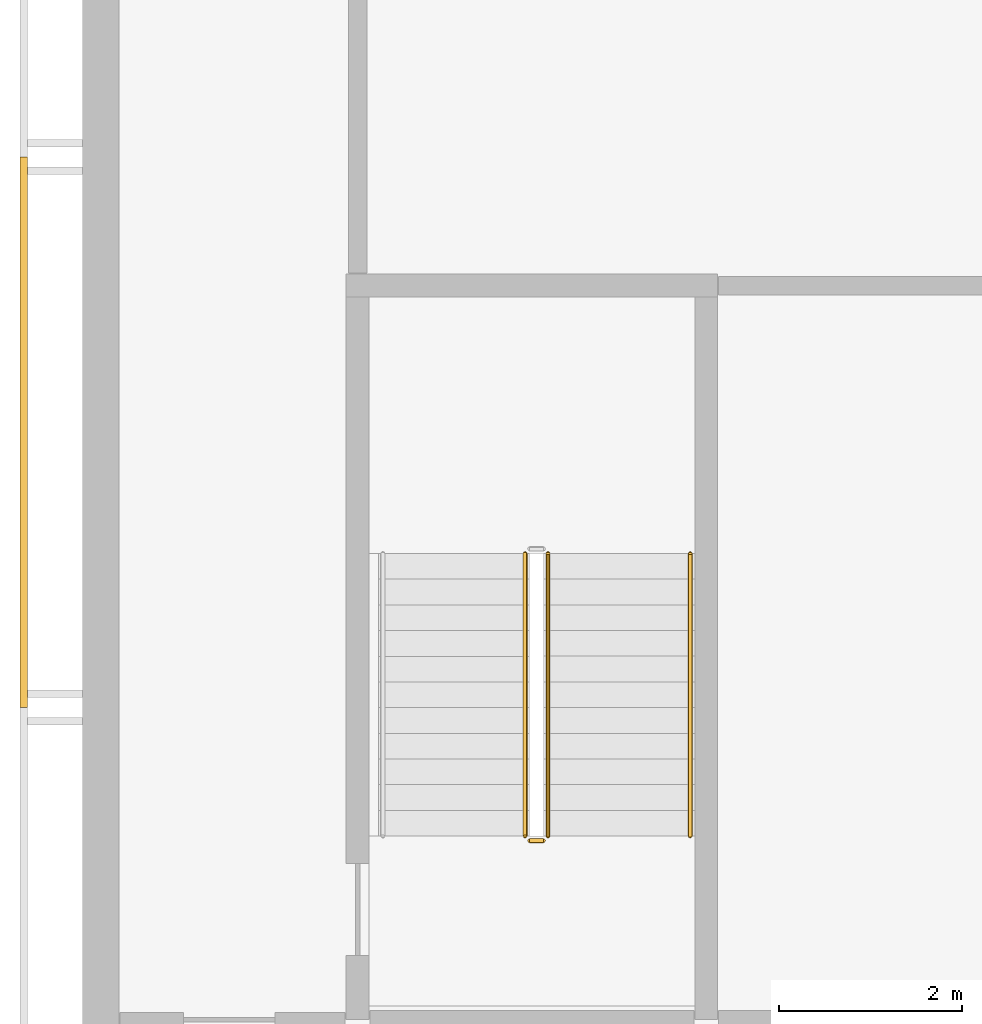
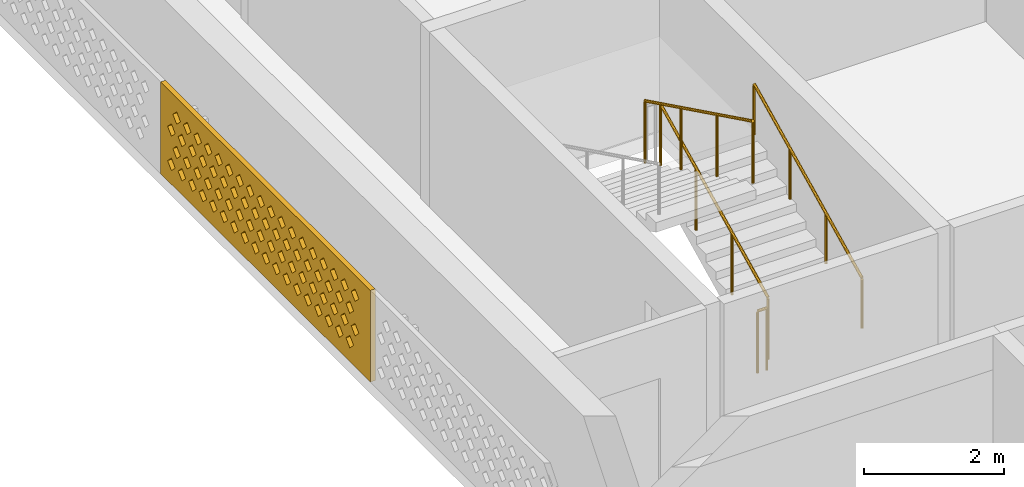
# One storey, part 8 of 18: 4 railings, 1 covering.
"""IFC4 building model written with IfcOpenShell, lengths in metres."""

from ifc_helpers import new_model, si_unit, direction, frame, origin, origin_2d, place, context, subcontext, project, spatial, polyline, circle, outline, extrude, source, transform, mapped, material, material_profile, profile_set, type_object, element, save


model = new_model("IFC4")

# Units and contexts
model_context = context("Model", 3, precision=1e-05, world=origin(), true_north=direction((0.0, 1.0)))
body_context = subcontext(model_context, "Body", "Model", "MODEL_VIEW")
ifc_project = project(units=[si_unit("LENGTHUNIT", "METRE"), si_unit("AREAUNIT", "SQUARE_METRE"), si_unit("VOLUMEUNIT", "CUBIC_METRE"), si_unit("PLANEANGLEUNIT", "RADIAN"), si_unit("MASSUNIT", "GRAM", prefix="KILO")], contexts=[model_context])

# Site, building, storey
site_placement = place(None, origin())
site = spatial("IfcSite", under=ifc_project, at=site_placement, CompositionType="ELEMENT")
building_placement = place(site_placement, origin())
building = spatial("IfcBuilding", under=site, at=building_placement, Name="Poui Terraces", CompositionType="ELEMENT")
storey_placement = place(building_placement, frame((0.0, 0.0, 272.39990234375)))
storey = spatial("IfcBuildingStorey", under=building, at=storey_placement, Name="L75 CROWN", CompositionType="ELEMENT", Elevation=272.39990234375)

# Railings
ifc_material_1 = material(Name="Galvanised steel balustrade", Category="steel")
railing_type_1 = type_object("IfcRailingType", Name="STAIR GUARD 1100", PredefinedType="GUARDRAIL", material=ifc_material_1)
railing_1_placement = place(storey_placement, frame((22.875, 16.60009765625, 0.1376953125)))
element("IfcRailing", 1, at=railing_1_placement, inside=storey, type_object=railing_type_1, Name="L75 CROWN ST-W stair guard 1", PredefinedType="GUARDRAIL", context=body_context, shape_type="SweptSolid", body=[
    extrude(circle(Radius=0.02392578125, at=origin_2d()), frame((0.0, 0.0, 1.076171875), z_axis=(0.0, 0.897606190399, 0.440798283751), x_axis=(-1.0, 0.0, 0.0)), (0.0, 0.0, 1.0), 3.43115234375),
    extrude(circle(Radius=0.02099609375, at=origin_2d()), origin(), (0.0, 0.0, 1.0), 1.052001953125),
    extrude(circle(Radius=0.02099609375, at=origin_2d()), frame((0.0, 1.026611328125, 0.504150390625)), (0.0, 0.0, 1.0), 1.052001953125),
    extrude(circle(Radius=0.02099609375, at=origin_2d()), frame((0.0, 2.05322265625, 1.00830078125)), (0.0, 0.0, 1.0), 1.052001953125),
    extrude(circle(Radius=0.02099609375, at=origin_2d()), frame((0.0, 3.079833984375, 1.512451171875)), (0.0, 0.0, 1.0), 1.052001953125),
])
railing_2_placement = place(storey_placement, frame((22.625, 19.679931640625, 1.78759765625)))
element("IfcRailing", 2, at=railing_2_placement, inside=storey, type_object=railing_type_1, Name="L75 CROWN ST-W stair guard 3", PredefinedType="GUARDRAIL", context=body_context, shape_type="SweptSolid", body=[
    extrude(circle(Radius=0.02392578125, at=origin_2d()), frame((0.0, 0.0, 1.076171875), z_axis=(0.0, -0.897606190399, 0.440798283751), x_axis=(1.0, 0.0, 0.0)), (0.0, 0.0, 1.0), 3.43115234375),
    extrude(circle(Radius=0.02099609375, at=origin_2d()), origin(), (0.0, 0.0, 1.0), 1.052001953125),
    extrude(circle(Radius=0.02099609375, at=origin_2d()), frame((0.0, -1.026611328125, 0.504150390625)), (0.0, 0.0, 1.0), 1.052001953125),
    extrude(circle(Radius=0.02099609375, at=origin_2d()), frame((0.0, -2.05322265625, 1.00830078125)), (0.0, 0.0, 1.0), 1.052001953125),
    extrude(circle(Radius=0.02099609375, at=origin_2d()), frame((0.0, -3.079833984375, 1.512451171875)), (0.0, 0.0, 1.0), 1.052001953125),
])
railing_3_placement = place(storey_placement, frame((22.824951171875, 16.550048828125, 0.0)))
element("IfcRailing", 3, at=railing_3_placement, inside=storey, type_object=railing_type_1, Name="L75 CROWN ST-W stair guard 4", PredefinedType="GUARDRAIL", context=body_context, shape_type="SweptSolid", body=[
    extrude(circle(Radius=0.02392578125, at=origin_2d()), frame((0.0, 0.0, 1.076171875), z_axis=(-1.0, 0.0, 0.0), x_axis=(0.0, -1.0, 0.0)), (0.0, 0.0, 1.0), 0.14990234375),
    extrude(circle(Radius=0.02099609375, at=origin_2d()), origin(), (0.0, 0.0, 1.0), 1.052001953125),
    extrude(circle(Radius=0.02099609375, at=origin_2d()), frame((-0.14990234375, 0.0, 0.0)), (0.0, 0.0, 1.0), 1.052001953125),
])
ifc_material_2 = material(Name="Stainless steel handrail", Category="steel")
railing_type_2 = type_object("IfcRailingType", Name="STAIR HANDRAIL 900", PredefinedType="HANDRAIL", material=ifc_material_2)
railing_4_placement = place(storey_placement, frame((24.425048828125, 16.60009765625, 0.1376953125)))
element("IfcRailing", 4, at=railing_4_placement, inside=storey, type_object=railing_type_2, Name="L75 CROWN ST-W stair handrail 1", PredefinedType="HANDRAIL", context=body_context, shape_type="SweptSolid", body=[
    extrude(circle(Radius=0.02392578125, at=origin_2d()), frame((0.0, 0.0, 0.8759765625), z_axis=(0.0, 0.897606190399, 0.440798283751), x_axis=(-1.0, 0.0, 0.0)), (0.0, 0.0, 1.0), 3.43115234375),
    extrude(circle(Radius=0.02099609375, at=origin_2d()), origin(), (0.0, 0.0, 1.0), 0.851806640625),
    extrude(circle(Radius=0.02099609375, at=origin_2d()), frame((0.0, 1.026611328125, 0.504150390625)), (0.0, 0.0, 1.0), 0.851806640625),
    extrude(circle(Radius=0.02099609375, at=origin_2d()), frame((0.0, 2.05322265625, 1.00830078125)), (0.0, 0.0, 1.0), 0.851806640625),
    extrude(circle(Radius=0.02099609375, at=origin_2d()), frame((0.0, 3.079833984375, 1.512451171875)), (0.0, 0.0, 1.0), 0.851806640625),
])

# Covering
ifc_material_3 = material(Name="Terracotta screen", Category="masonry")
ifc_material_profile = material_profile(ifc_material_3, outline(polyline([(-3.0, -0.800048828125), (3.0, -0.800048828125), (3.0, 0.800048828125), (-3.0, 0.800048828125), (-3.0, -0.800048828125)]), holes=[polyline([(-2.800048828125, -0.449951171875), (-2.68994140625, -0.56005859375), (-2.580078125, -0.449951171875), (-2.68994140625, -0.340087890625), (-2.800048828125, -0.449951171875)]), polyline([(-2.5, -0.449951171875), (-2.389892578125, -0.56005859375), (-2.280029296875, -0.449951171875), (-2.389892578125, -0.340087890625), (-2.5, -0.449951171875)]), polyline([(-2.199951171875, -0.449951171875), (-2.090087890625, -0.56005859375), (-1.97998046875, -0.449951171875), (-2.090087890625, -0.340087890625), (-2.199951171875, -0.449951171875)]), polyline([(-1.89990234375, -0.449951171875), (-1.7900390625, -0.56005859375), (-1.679931640625, -0.449951171875), (-1.7900390625, -0.340087890625), (-1.89990234375, -0.449951171875)]), polyline([(-1.60009765625, -0.449951171875), (-1.489990234375, -0.56005859375), (-1.3798828125, -0.449951171875), (-1.489990234375, -0.340087890625), (-1.60009765625, -0.449951171875)]), polyline([(-1.300048828125, -0.449951171875), (-1.18994140625, -0.56005859375), (-1.080078125, -0.449951171875), (-1.18994140625, -0.340087890625), (-1.300048828125, -0.449951171875)]), polyline([(-1.0, -0.449951171875), (-0.889892578125, -0.56005859375), (-0.780029296875, -0.449951171875), (-0.889892578125, -0.340087890625), (-1.0, -0.449951171875)]), polyline([(-0.699951171875, -0.449951171875), (-0.590087890625, -0.56005859375), (-0.47998046875, -0.449951171875), (-0.590087890625, -0.340087890625), (-0.699951171875, -0.449951171875)]), polyline([(-0.39990234375, -0.449951171875), (-0.2900390625, -0.56005859375), (-0.179931640625, -0.449951171875), (-0.2900390625, -0.340087890625), (-0.39990234375, -0.449951171875)]), polyline([(-0.10009765625, -0.449951171875), (0.010009765625, -0.56005859375), (0.1201171875, -0.449951171875), (0.010009765625, -0.340087890625), (-0.10009765625, -0.449951171875)]), polyline([(0.199951171875, -0.449951171875), (0.31005859375, -0.56005859375), (0.419921875, -0.449951171875), (0.31005859375, -0.340087890625), (0.199951171875, -0.449951171875)]), polyline([(0.5, -0.449951171875), (0.610107421875, -0.56005859375), (0.719970703125, -0.449951171875), (0.610107421875, -0.340087890625), (0.5, -0.449951171875)]), polyline([(0.800048828125, -0.449951171875), (0.909912109375, -0.56005859375), (1.02001953125, -0.449951171875), (0.909912109375, -0.340087890625), (0.800048828125, -0.449951171875)]), polyline([(1.10009765625, -0.449951171875), (1.2099609375, -0.56005859375), (1.320068359375, -0.449951171875), (1.2099609375, -0.340087890625), (1.10009765625, -0.449951171875)]), polyline([(1.39990234375, -0.449951171875), (1.510009765625, -0.56005859375), (1.6201171875, -0.449951171875), (1.510009765625, -0.340087890625), (1.39990234375, -0.449951171875)]), polyline([(1.699951171875, -0.449951171875), (1.81005859375, -0.56005859375), (1.919921875, -0.449951171875), (1.81005859375, -0.340087890625), (1.699951171875, -0.449951171875)]), polyline([(2.0, -0.449951171875), (2.110107421875, -0.56005859375), (2.219970703125, -0.449951171875), (2.110107421875, -0.340087890625), (2.0, -0.449951171875)]), polyline([(2.300048828125, -0.449951171875), (2.409912109375, -0.56005859375), (2.52001953125, -0.449951171875), (2.409912109375, -0.340087890625), (2.300048828125, -0.449951171875)]), polyline([(-2.64990234375, -0.14990234375), (-2.5400390625, -0.260009765625), (-2.429931640625, -0.14990234375), (-2.5400390625, -0.0400390625), (-2.64990234375, -0.14990234375)]), polyline([(-2.35009765625, -0.14990234375), (-2.239990234375, -0.260009765625), (-2.1298828125, -0.14990234375), (-2.239990234375, -0.0400390625), (-2.35009765625, -0.14990234375)]), polyline([(-2.050048828125, -0.14990234375), (-1.93994140625, -0.260009765625), (-1.830078125, -0.14990234375), (-1.93994140625, -0.0400390625), (-2.050048828125, -0.14990234375)]), polyline([(-1.75, -0.14990234375), (-1.639892578125, -0.260009765625), (-1.530029296875, -0.14990234375), (-1.639892578125, -0.0400390625), (-1.75, -0.14990234375)]), polyline([(-1.449951171875, -0.14990234375), (-1.340087890625, -0.260009765625), (-1.22998046875, -0.14990234375), (-1.340087890625, -0.0400390625), (-1.449951171875, -0.14990234375)]), polyline([(-1.14990234375, -0.14990234375), (-1.0400390625, -0.260009765625), (-0.929931640625, -0.14990234375), (-1.0400390625, -0.0400390625), (-1.14990234375, -0.14990234375)]), polyline([(-0.85009765625, -0.14990234375), (-0.739990234375, -0.260009765625), (-0.6298828125, -0.14990234375), (-0.739990234375, -0.0400390625), (-0.85009765625, -0.14990234375)]), polyline([(-0.550048828125, -0.14990234375), (-0.43994140625, -0.260009765625), (-0.330078125, -0.14990234375), (-0.43994140625, -0.0400390625), (-0.550048828125, -0.14990234375)]), polyline([(-0.25, -0.14990234375), (-0.139892578125, -0.260009765625), (-0.030029296875, -0.14990234375), (-0.139892578125, -0.0400390625), (-0.25, -0.14990234375)]), polyline([(0.050048828125, -0.14990234375), (0.159912109375, -0.260009765625), (0.27001953125, -0.14990234375), (0.159912109375, -0.0400390625), (0.050048828125, -0.14990234375)]), polyline([(0.35009765625, -0.14990234375), (0.4599609375, -0.260009765625), (0.570068359375, -0.14990234375), (0.4599609375, -0.0400390625), (0.35009765625, -0.14990234375)]), polyline([(0.64990234375, -0.14990234375), (0.760009765625, -0.260009765625), (0.8701171875, -0.14990234375), (0.760009765625, -0.0400390625), (0.64990234375, -0.14990234375)]), polyline([(0.949951171875, -0.14990234375), (1.06005859375, -0.260009765625), (1.169921875, -0.14990234375), (1.06005859375, -0.0400390625), (0.949951171875, -0.14990234375)]), polyline([(1.25, -0.14990234375), (1.360107421875, -0.260009765625), (1.469970703125, -0.14990234375), (1.360107421875, -0.0400390625), (1.25, -0.14990234375)]), polyline([(1.550048828125, -0.14990234375), (1.659912109375, -0.260009765625), (1.77001953125, -0.14990234375), (1.659912109375, -0.0400390625), (1.550048828125, -0.14990234375)]), polyline([(1.85009765625, -0.14990234375), (1.9599609375, -0.260009765625), (2.070068359375, -0.14990234375), (1.9599609375, -0.0400390625), (1.85009765625, -0.14990234375)]), polyline([(2.14990234375, -0.14990234375), (2.260009765625, -0.260009765625), (2.3701171875, -0.14990234375), (2.260009765625, -0.0400390625), (2.14990234375, -0.14990234375)]), polyline([(2.449951171875, -0.14990234375), (2.56005859375, -0.260009765625), (2.669921875, -0.14990234375), (2.56005859375, -0.0400390625), (2.449951171875, -0.14990234375)]), polyline([(-2.800048828125, 0.14990234375), (-2.68994140625, 0.0400390625), (-2.580078125, 0.14990234375), (-2.68994140625, 0.260009765625), (-2.800048828125, 0.14990234375)]), polyline([(-2.5, 0.14990234375), (-2.389892578125, 0.0400390625), (-2.280029296875, 0.14990234375), (-2.389892578125, 0.260009765625), (-2.5, 0.14990234375)]), polyline([(-2.199951171875, 0.14990234375), (-2.090087890625, 0.0400390625), (-1.97998046875, 0.14990234375), (-2.090087890625, 0.260009765625), (-2.199951171875, 0.14990234375)]), polyline([(-1.89990234375, 0.14990234375), (-1.7900390625, 0.0400390625), (-1.679931640625, 0.14990234375), (-1.7900390625, 0.260009765625), (-1.89990234375, 0.14990234375)]), polyline([(-1.60009765625, 0.14990234375), (-1.489990234375, 0.0400390625), (-1.3798828125, 0.14990234375), (-1.489990234375, 0.260009765625), (-1.60009765625, 0.14990234375)]), polyline([(-1.300048828125, 0.14990234375), (-1.18994140625, 0.0400390625), (-1.080078125, 0.14990234375), (-1.18994140625, 0.260009765625), (-1.300048828125, 0.14990234375)]), polyline([(-1.0, 0.14990234375), (-0.889892578125, 0.0400390625), (-0.780029296875, 0.14990234375), (-0.889892578125, 0.260009765625), (-1.0, 0.14990234375)]), polyline([(-0.699951171875, 0.14990234375), (-0.590087890625, 0.0400390625), (-0.47998046875, 0.14990234375), (-0.590087890625, 0.260009765625), (-0.699951171875, 0.14990234375)]), polyline([(-0.39990234375, 0.14990234375), (-0.2900390625, 0.0400390625), (-0.179931640625, 0.14990234375), (-0.2900390625, 0.260009765625), (-0.39990234375, 0.14990234375)]), polyline([(-0.10009765625, 0.14990234375), (0.010009765625, 0.0400390625), (0.1201171875, 0.14990234375), (0.010009765625, 0.260009765625), (-0.10009765625, 0.14990234375)]), polyline([(0.199951171875, 0.14990234375), (0.31005859375, 0.0400390625), (0.419921875, 0.14990234375), (0.31005859375, 0.260009765625), (0.199951171875, 0.14990234375)]), polyline([(0.5, 0.14990234375), (0.610107421875, 0.0400390625), (0.719970703125, 0.14990234375), (0.610107421875, 0.260009765625), (0.5, 0.14990234375)]), polyline([(0.800048828125, 0.14990234375), (0.909912109375, 0.0400390625), (1.02001953125, 0.14990234375), (0.909912109375, 0.260009765625), (0.800048828125, 0.14990234375)]), polyline([(1.10009765625, 0.14990234375), (1.2099609375, 0.0400390625), (1.320068359375, 0.14990234375), (1.2099609375, 0.260009765625), (1.10009765625, 0.14990234375)]), polyline([(1.39990234375, 0.14990234375), (1.510009765625, 0.0400390625), (1.6201171875, 0.14990234375), (1.510009765625, 0.260009765625), (1.39990234375, 0.14990234375)]), polyline([(1.699951171875, 0.14990234375), (1.81005859375, 0.0400390625), (1.919921875, 0.14990234375), (1.81005859375, 0.260009765625), (1.699951171875, 0.14990234375)]), polyline([(2.0, 0.14990234375), (2.110107421875, 0.0400390625), (2.219970703125, 0.14990234375), (2.110107421875, 0.260009765625), (2.0, 0.14990234375)]), polyline([(2.300048828125, 0.14990234375), (2.409912109375, 0.0400390625), (2.52001953125, 0.14990234375), (2.409912109375, 0.260009765625), (2.300048828125, 0.14990234375)]), polyline([(-2.64990234375, 0.449951171875), (-2.5400390625, 0.340087890625), (-2.429931640625, 0.449951171875), (-2.5400390625, 0.56005859375), (-2.64990234375, 0.449951171875)]), polyline([(-2.35009765625, 0.449951171875), (-2.239990234375, 0.340087890625), (-2.1298828125, 0.449951171875), (-2.239990234375, 0.56005859375), (-2.35009765625, 0.449951171875)]), polyline([(-2.050048828125, 0.449951171875), (-1.93994140625, 0.340087890625), (-1.830078125, 0.449951171875), (-1.93994140625, 0.56005859375), (-2.050048828125, 0.449951171875)]), polyline([(-1.75, 0.449951171875), (-1.639892578125, 0.340087890625), (-1.530029296875, 0.449951171875), (-1.639892578125, 0.56005859375), (-1.75, 0.449951171875)]), polyline([(-1.449951171875, 0.449951171875), (-1.340087890625, 0.340087890625), (-1.22998046875, 0.449951171875), (-1.340087890625, 0.56005859375), (-1.449951171875, 0.449951171875)]), polyline([(-1.14990234375, 0.449951171875), (-1.0400390625, 0.340087890625), (-0.929931640625, 0.449951171875), (-1.0400390625, 0.56005859375), (-1.14990234375, 0.449951171875)]), polyline([(-0.85009765625, 0.449951171875), (-0.739990234375, 0.340087890625), (-0.6298828125, 0.449951171875), (-0.739990234375, 0.56005859375), (-0.85009765625, 0.449951171875)]), polyline([(-0.550048828125, 0.449951171875), (-0.43994140625, 0.340087890625), (-0.330078125, 0.449951171875), (-0.43994140625, 0.56005859375), (-0.550048828125, 0.449951171875)]), polyline([(-0.25, 0.449951171875), (-0.139892578125, 0.340087890625), (-0.030029296875, 0.449951171875), (-0.139892578125, 0.56005859375), (-0.25, 0.449951171875)]), polyline([(0.050048828125, 0.449951171875), (0.159912109375, 0.340087890625), (0.27001953125, 0.449951171875), (0.159912109375, 0.56005859375), (0.050048828125, 0.449951171875)]), polyline([(0.35009765625, 0.449951171875), (0.4599609375, 0.340087890625), (0.570068359375, 0.449951171875), (0.4599609375, 0.56005859375), (0.35009765625, 0.449951171875)]), polyline([(0.64990234375, 0.449951171875), (0.760009765625, 0.340087890625), (0.8701171875, 0.449951171875), (0.760009765625, 0.56005859375), (0.64990234375, 0.449951171875)]), polyline([(0.949951171875, 0.449951171875), (1.06005859375, 0.340087890625), (1.169921875, 0.449951171875), (1.06005859375, 0.56005859375), (0.949951171875, 0.449951171875)]), polyline([(1.25, 0.449951171875), (1.360107421875, 0.340087890625), (1.469970703125, 0.449951171875), (1.360107421875, 0.56005859375), (1.25, 0.449951171875)]), polyline([(1.550048828125, 0.449951171875), (1.659912109375, 0.340087890625), (1.77001953125, 0.449951171875), (1.659912109375, 0.56005859375), (1.550048828125, 0.449951171875)]), polyline([(1.85009765625, 0.449951171875), (1.9599609375, 0.340087890625), (2.070068359375, 0.449951171875), (1.9599609375, 0.56005859375), (1.85009765625, 0.449951171875)]), polyline([(2.14990234375, 0.449951171875), (2.260009765625, 0.340087890625), (2.3701171875, 0.449951171875), (2.260009765625, 0.56005859375), (2.14990234375, 0.449951171875)]), polyline([(2.449951171875, 0.449951171875), (2.56005859375, 0.340087890625), (2.669921875, 0.449951171875), (2.56005859375, 0.56005859375), (2.449951171875, 0.449951171875)])]), Name="TERRACOTTA SOLAR SCREEN 6000X1600")
ifc_profile_set = profile_set([ifc_material_profile], Name="Terracotta screen")
covering_type = type_object("IfcCoveringType", Name="TERRACOTTA SOLAR SCREEN 6000X1600", PredefinedType="CLADDING", material=ifc_profile_set)
shared_shape = source(origin(), body_context, "Body", "SweptSolid", [
    extrude(outline(polyline([(-3.0, -0.800048828125), (3.0, -0.800048828125), (3.0, 0.800048828125), (-3.0, 0.800048828125), (-3.0, -0.800048828125)]), holes=[polyline([(-2.800048828125, -0.449951171875), (-2.68994140625, -0.56005859375), (-2.580078125, -0.449951171875), (-2.68994140625, -0.340087890625), (-2.800048828125, -0.449951171875)]), polyline([(-2.5, -0.449951171875), (-2.389892578125, -0.56005859375), (-2.280029296875, -0.449951171875), (-2.389892578125, -0.340087890625), (-2.5, -0.449951171875)]), polyline([(-2.199951171875, -0.449951171875), (-2.090087890625, -0.56005859375), (-1.97998046875, -0.449951171875), (-2.090087890625, -0.340087890625), (-2.199951171875, -0.449951171875)]), polyline([(-1.89990234375, -0.449951171875), (-1.7900390625, -0.56005859375), (-1.679931640625, -0.449951171875), (-1.7900390625, -0.340087890625), (-1.89990234375, -0.449951171875)]), polyline([(-1.60009765625, -0.449951171875), (-1.489990234375, -0.56005859375), (-1.3798828125, -0.449951171875), (-1.489990234375, -0.340087890625), (-1.60009765625, -0.449951171875)]), polyline([(-1.300048828125, -0.449951171875), (-1.18994140625, -0.56005859375), (-1.080078125, -0.449951171875), (-1.18994140625, -0.340087890625), (-1.300048828125, -0.449951171875)]), polyline([(-1.0, -0.449951171875), (-0.889892578125, -0.56005859375), (-0.780029296875, -0.449951171875), (-0.889892578125, -0.340087890625), (-1.0, -0.449951171875)]), polyline([(-0.699951171875, -0.449951171875), (-0.590087890625, -0.56005859375), (-0.47998046875, -0.449951171875), (-0.590087890625, -0.340087890625), (-0.699951171875, -0.449951171875)]), polyline([(-0.39990234375, -0.449951171875), (-0.2900390625, -0.56005859375), (-0.179931640625, -0.449951171875), (-0.2900390625, -0.340087890625), (-0.39990234375, -0.449951171875)]), polyline([(-0.10009765625, -0.449951171875), (0.010009765625, -0.56005859375), (0.1201171875, -0.449951171875), (0.010009765625, -0.340087890625), (-0.10009765625, -0.449951171875)]), polyline([(0.199951171875, -0.449951171875), (0.31005859375, -0.56005859375), (0.419921875, -0.449951171875), (0.31005859375, -0.340087890625), (0.199951171875, -0.449951171875)]), polyline([(0.5, -0.449951171875), (0.610107421875, -0.56005859375), (0.719970703125, -0.449951171875), (0.610107421875, -0.340087890625), (0.5, -0.449951171875)]), polyline([(0.800048828125, -0.449951171875), (0.909912109375, -0.56005859375), (1.02001953125, -0.449951171875), (0.909912109375, -0.340087890625), (0.800048828125, -0.449951171875)]), polyline([(1.10009765625, -0.449951171875), (1.2099609375, -0.56005859375), (1.320068359375, -0.449951171875), (1.2099609375, -0.340087890625), (1.10009765625, -0.449951171875)]), polyline([(1.39990234375, -0.449951171875), (1.510009765625, -0.56005859375), (1.6201171875, -0.449951171875), (1.510009765625, -0.340087890625), (1.39990234375, -0.449951171875)]), polyline([(1.699951171875, -0.449951171875), (1.81005859375, -0.56005859375), (1.919921875, -0.449951171875), (1.81005859375, -0.340087890625), (1.699951171875, -0.449951171875)]), polyline([(2.0, -0.449951171875), (2.110107421875, -0.56005859375), (2.219970703125, -0.449951171875), (2.110107421875, -0.340087890625), (2.0, -0.449951171875)]), polyline([(2.300048828125, -0.449951171875), (2.409912109375, -0.56005859375), (2.52001953125, -0.449951171875), (2.409912109375, -0.340087890625), (2.300048828125, -0.449951171875)]), polyline([(-2.64990234375, -0.14990234375), (-2.5400390625, -0.260009765625), (-2.429931640625, -0.14990234375), (-2.5400390625, -0.0400390625), (-2.64990234375, -0.14990234375)]), polyline([(-2.35009765625, -0.14990234375), (-2.239990234375, -0.260009765625), (-2.1298828125, -0.14990234375), (-2.239990234375, -0.0400390625), (-2.35009765625, -0.14990234375)]), polyline([(-2.050048828125, -0.14990234375), (-1.93994140625, -0.260009765625), (-1.830078125, -0.14990234375), (-1.93994140625, -0.0400390625), (-2.050048828125, -0.14990234375)]), polyline([(-1.75, -0.14990234375), (-1.639892578125, -0.260009765625), (-1.530029296875, -0.14990234375), (-1.639892578125, -0.0400390625), (-1.75, -0.14990234375)]), polyline([(-1.449951171875, -0.14990234375), (-1.340087890625, -0.260009765625), (-1.22998046875, -0.14990234375), (-1.340087890625, -0.0400390625), (-1.449951171875, -0.14990234375)]), polyline([(-1.14990234375, -0.14990234375), (-1.0400390625, -0.260009765625), (-0.929931640625, -0.14990234375), (-1.0400390625, -0.0400390625), (-1.14990234375, -0.14990234375)]), polyline([(-0.85009765625, -0.14990234375), (-0.739990234375, -0.260009765625), (-0.6298828125, -0.14990234375), (-0.739990234375, -0.0400390625), (-0.85009765625, -0.14990234375)]), polyline([(-0.550048828125, -0.14990234375), (-0.43994140625, -0.260009765625), (-0.330078125, -0.14990234375), (-0.43994140625, -0.0400390625), (-0.550048828125, -0.14990234375)]), polyline([(-0.25, -0.14990234375), (-0.139892578125, -0.260009765625), (-0.030029296875, -0.14990234375), (-0.139892578125, -0.0400390625), (-0.25, -0.14990234375)]), polyline([(0.050048828125, -0.14990234375), (0.159912109375, -0.260009765625), (0.27001953125, -0.14990234375), (0.159912109375, -0.0400390625), (0.050048828125, -0.14990234375)]), polyline([(0.35009765625, -0.14990234375), (0.4599609375, -0.260009765625), (0.570068359375, -0.14990234375), (0.4599609375, -0.0400390625), (0.35009765625, -0.14990234375)]), polyline([(0.64990234375, -0.14990234375), (0.760009765625, -0.260009765625), (0.8701171875, -0.14990234375), (0.760009765625, -0.0400390625), (0.64990234375, -0.14990234375)]), polyline([(0.949951171875, -0.14990234375), (1.06005859375, -0.260009765625), (1.169921875, -0.14990234375), (1.06005859375, -0.0400390625), (0.949951171875, -0.14990234375)]), polyline([(1.25, -0.14990234375), (1.360107421875, -0.260009765625), (1.469970703125, -0.14990234375), (1.360107421875, -0.0400390625), (1.25, -0.14990234375)]), polyline([(1.550048828125, -0.14990234375), (1.659912109375, -0.260009765625), (1.77001953125, -0.14990234375), (1.659912109375, -0.0400390625), (1.550048828125, -0.14990234375)]), polyline([(1.85009765625, -0.14990234375), (1.9599609375, -0.260009765625), (2.070068359375, -0.14990234375), (1.9599609375, -0.0400390625), (1.85009765625, -0.14990234375)]), polyline([(2.14990234375, -0.14990234375), (2.260009765625, -0.260009765625), (2.3701171875, -0.14990234375), (2.260009765625, -0.0400390625), (2.14990234375, -0.14990234375)]), polyline([(2.449951171875, -0.14990234375), (2.56005859375, -0.260009765625), (2.669921875, -0.14990234375), (2.56005859375, -0.0400390625), (2.449951171875, -0.14990234375)]), polyline([(-2.800048828125, 0.14990234375), (-2.68994140625, 0.0400390625), (-2.580078125, 0.14990234375), (-2.68994140625, 0.260009765625), (-2.800048828125, 0.14990234375)]), polyline([(-2.5, 0.14990234375), (-2.389892578125, 0.0400390625), (-2.280029296875, 0.14990234375), (-2.389892578125, 0.260009765625), (-2.5, 0.14990234375)]), polyline([(-2.199951171875, 0.14990234375), (-2.090087890625, 0.0400390625), (-1.97998046875, 0.14990234375), (-2.090087890625, 0.260009765625), (-2.199951171875, 0.14990234375)]), polyline([(-1.89990234375, 0.14990234375), (-1.7900390625, 0.0400390625), (-1.679931640625, 0.14990234375), (-1.7900390625, 0.260009765625), (-1.89990234375, 0.14990234375)]), polyline([(-1.60009765625, 0.14990234375), (-1.489990234375, 0.0400390625), (-1.3798828125, 0.14990234375), (-1.489990234375, 0.260009765625), (-1.60009765625, 0.14990234375)]), polyline([(-1.300048828125, 0.14990234375), (-1.18994140625, 0.0400390625), (-1.080078125, 0.14990234375), (-1.18994140625, 0.260009765625), (-1.300048828125, 0.14990234375)]), polyline([(-1.0, 0.14990234375), (-0.889892578125, 0.0400390625), (-0.780029296875, 0.14990234375), (-0.889892578125, 0.260009765625), (-1.0, 0.14990234375)]), polyline([(-0.699951171875, 0.14990234375), (-0.590087890625, 0.0400390625), (-0.47998046875, 0.14990234375), (-0.590087890625, 0.260009765625), (-0.699951171875, 0.14990234375)]), polyline([(-0.39990234375, 0.14990234375), (-0.2900390625, 0.0400390625), (-0.179931640625, 0.14990234375), (-0.2900390625, 0.260009765625), (-0.39990234375, 0.14990234375)]), polyline([(-0.10009765625, 0.14990234375), (0.010009765625, 0.0400390625), (0.1201171875, 0.14990234375), (0.010009765625, 0.260009765625), (-0.10009765625, 0.14990234375)]), polyline([(0.199951171875, 0.14990234375), (0.31005859375, 0.0400390625), (0.419921875, 0.14990234375), (0.31005859375, 0.260009765625), (0.199951171875, 0.14990234375)]), polyline([(0.5, 0.14990234375), (0.610107421875, 0.0400390625), (0.719970703125, 0.14990234375), (0.610107421875, 0.260009765625), (0.5, 0.14990234375)]), polyline([(0.800048828125, 0.14990234375), (0.909912109375, 0.0400390625), (1.02001953125, 0.14990234375), (0.909912109375, 0.260009765625), (0.800048828125, 0.14990234375)]), polyline([(1.10009765625, 0.14990234375), (1.2099609375, 0.0400390625), (1.320068359375, 0.14990234375), (1.2099609375, 0.260009765625), (1.10009765625, 0.14990234375)]), polyline([(1.39990234375, 0.14990234375), (1.510009765625, 0.0400390625), (1.6201171875, 0.14990234375), (1.510009765625, 0.260009765625), (1.39990234375, 0.14990234375)]), polyline([(1.699951171875, 0.14990234375), (1.81005859375, 0.0400390625), (1.919921875, 0.14990234375), (1.81005859375, 0.260009765625), (1.699951171875, 0.14990234375)]), polyline([(2.0, 0.14990234375), (2.110107421875, 0.0400390625), (2.219970703125, 0.14990234375), (2.110107421875, 0.260009765625), (2.0, 0.14990234375)]), polyline([(2.300048828125, 0.14990234375), (2.409912109375, 0.0400390625), (2.52001953125, 0.14990234375), (2.409912109375, 0.260009765625), (2.300048828125, 0.14990234375)]), polyline([(-2.64990234375, 0.449951171875), (-2.5400390625, 0.340087890625), (-2.429931640625, 0.449951171875), (-2.5400390625, 0.56005859375), (-2.64990234375, 0.449951171875)]), polyline([(-2.35009765625, 0.449951171875), (-2.239990234375, 0.340087890625), (-2.1298828125, 0.449951171875), (-2.239990234375, 0.56005859375), (-2.35009765625, 0.449951171875)]), polyline([(-2.050048828125, 0.449951171875), (-1.93994140625, 0.340087890625), (-1.830078125, 0.449951171875), (-1.93994140625, 0.56005859375), (-2.050048828125, 0.449951171875)]), polyline([(-1.75, 0.449951171875), (-1.639892578125, 0.340087890625), (-1.530029296875, 0.449951171875), (-1.639892578125, 0.56005859375), (-1.75, 0.449951171875)]), polyline([(-1.449951171875, 0.449951171875), (-1.340087890625, 0.340087890625), (-1.22998046875, 0.449951171875), (-1.340087890625, 0.56005859375), (-1.449951171875, 0.449951171875)]), polyline([(-1.14990234375, 0.449951171875), (-1.0400390625, 0.340087890625), (-0.929931640625, 0.449951171875), (-1.0400390625, 0.56005859375), (-1.14990234375, 0.449951171875)]), polyline([(-0.85009765625, 0.449951171875), (-0.739990234375, 0.340087890625), (-0.6298828125, 0.449951171875), (-0.739990234375, 0.56005859375), (-0.85009765625, 0.449951171875)]), polyline([(-0.550048828125, 0.449951171875), (-0.43994140625, 0.340087890625), (-0.330078125, 0.449951171875), (-0.43994140625, 0.56005859375), (-0.550048828125, 0.449951171875)]), polyline([(-0.25, 0.449951171875), (-0.139892578125, 0.340087890625), (-0.030029296875, 0.449951171875), (-0.139892578125, 0.56005859375), (-0.25, 0.449951171875)]), polyline([(0.050048828125, 0.449951171875), (0.159912109375, 0.340087890625), (0.27001953125, 0.449951171875), (0.159912109375, 0.56005859375), (0.050048828125, 0.449951171875)]), polyline([(0.35009765625, 0.449951171875), (0.4599609375, 0.340087890625), (0.570068359375, 0.449951171875), (0.4599609375, 0.56005859375), (0.35009765625, 0.449951171875)]), polyline([(0.64990234375, 0.449951171875), (0.760009765625, 0.340087890625), (0.8701171875, 0.449951171875), (0.760009765625, 0.56005859375), (0.64990234375, 0.449951171875)]), polyline([(0.949951171875, 0.449951171875), (1.06005859375, 0.340087890625), (1.169921875, 0.449951171875), (1.06005859375, 0.56005859375), (0.949951171875, 0.449951171875)]), polyline([(1.25, 0.449951171875), (1.360107421875, 0.340087890625), (1.469970703125, 0.449951171875), (1.360107421875, 0.56005859375), (1.25, 0.449951171875)]), polyline([(1.550048828125, 0.449951171875), (1.659912109375, 0.340087890625), (1.77001953125, 0.449951171875), (1.659912109375, 0.56005859375), (1.550048828125, 0.449951171875)]), polyline([(1.85009765625, 0.449951171875), (1.9599609375, 0.340087890625), (2.070068359375, 0.449951171875), (1.9599609375, 0.56005859375), (1.85009765625, 0.449951171875)]), polyline([(2.14990234375, 0.449951171875), (2.260009765625, 0.340087890625), (2.3701171875, 0.449951171875), (2.260009765625, 0.56005859375), (2.14990234375, 0.449951171875)]), polyline([(2.449951171875, 0.449951171875), (2.56005859375, 0.340087890625), (2.669921875, 0.449951171875), (2.56005859375, 0.56005859375), (2.449951171875, 0.449951171875)])]), origin(), (0.0, 0.0, 1.0), 0.079833984375),
])
covering_placement = place(storey_placement, frame((17.199951171875, 21.0, 1.7001953125), z_axis=(-1.0, 0.0, 0.0), x_axis=(0.0, -1.0, 0.0)))
element("IfcCovering", 5, at=covering_placement, inside=storey, type_object=covering_type, Name="SOLAR SCREEN", PredefinedType="CLADDING", context=body_context, shape_type="MappedRepresentation", body=[
    mapped(shared_shape, transform((0.0, 0.0, 0.0))),
])

save(model, "model.ifc")
